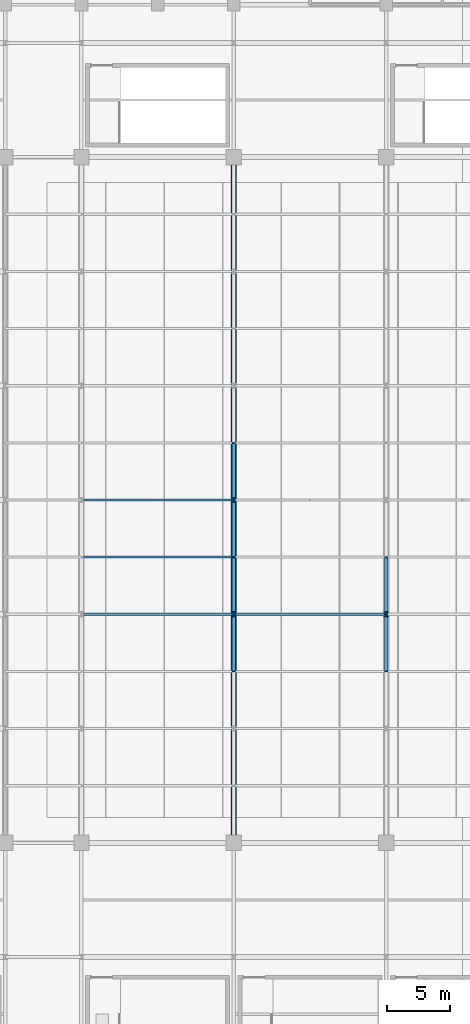
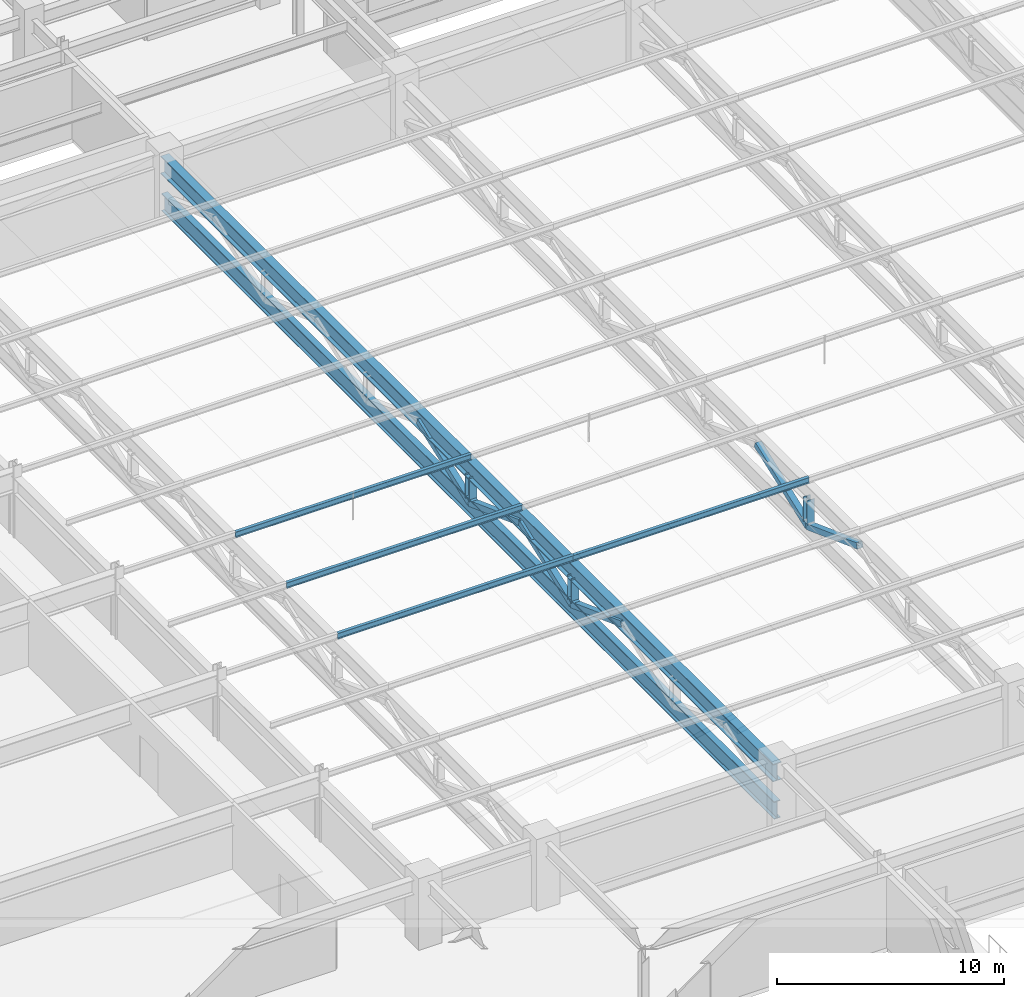
# One storey, part 28 of 108: 14 members, 1 beam.
"""IFC4 building model written with IfcOpenShell, lengths in metres."""

from ifc_helpers import new_model, si_unit, direction, frame, origin, origin_2d, place, context, subcontext, project, spatial, hollow_rectangle, i_section, extrude, material, material_profile, profile_set, type_object, element, save


model = new_model("IFC4")

# Units and contexts
model_context = context("Model", 3, precision=1e-05, world=origin(), true_north=direction((0.0, 1.0)))
body_context = subcontext(model_context, "Body", "Model", "MODEL_VIEW")
ifc_project = project(units=[si_unit("LENGTHUNIT", "METRE"), si_unit("AREAUNIT", "SQUARE_METRE"), si_unit("VOLUMEUNIT", "CUBIC_METRE"), si_unit("PLANEANGLEUNIT", "RADIAN"), si_unit("MASSUNIT", "GRAM", prefix="KILO")], contexts=[model_context])

# Site, building, storey
site_placement = place(None, origin())
site = spatial("IfcSite", under=ifc_project, at=site_placement, CompositionType="ELEMENT")
building_placement = place(site_placement, origin())
building = spatial("IfcBuilding", under=site, at=building_placement, Name="Kaldorvane Square Convention Centre", CompositionType="ELEMENT")
storey_placement = place(building_placement, frame((0.0, 0.0, 23.399993896484375)))
storey = spatial("IfcBuildingStorey", under=building, at=storey_placement, Name="L04", CompositionType="ELEMENT", Elevation=23.399993896484375)

# Beam
ifc_material_1 = material(Name="Steel ASTM A992 Gr. 50", Category="steel")
ifc_material_profile_1 = material_profile(ifc_material_1, i_section(OverallWidth=0.423004150390625, OverallDepth=0.9481964111328125, WebThickness=0.0240020751953125, FlangeThickness=0.042694091796875, FilletRadius=0.0240936279296875, at=origin_2d()), Name="W36X302")
ifc_profile_set_1 = profile_set([ifc_material_profile_1], Name="Steel ASTM A992 Gr. 50")
beam_type = type_object("IfcBeamType", Name="BM-GR-W36X302", PredefinedType="BEAM", material=ifc_profile_set_1)
beam_placement = place(storey_placement, frame((42.0, 18.0, 2.7335052490234375), z_axis=(0.0, 1.0, 0.0), x_axis=(-1.0, 0.0, 0.0)))
element("IfcBeam", 1, at=beam_placement, inside=storey, type_object=beam_type, Name="Hall Roof Truss RT-02 Top Chord", PredefinedType="BEAM", context=body_context, shape_type="SweptSolid", body=[
    extrude(i_section(OverallWidth=0.423004150390625, OverallDepth=0.9481964111328125, WebThickness=0.0240020751953125, FlangeThickness=0.042694091796875, FilletRadius=0.0240936279296875, at=origin_2d()), origin(), (0.0, 0.0, 1.0), 54.0),
])

# Members
ifc_material_2 = material(Name="Steel ASTM A500 Gr. C", Category="steel")
ifc_material_profile_2 = material_profile(ifc_material_2, hollow_rectangle(XDim=0.3047943115234375, YDim=0.3047943115234375, WallThickness=0.0117950439453125, at=origin_2d()), Name="HSS12X12X1/2")
ifc_profile_set_2 = profile_set([ifc_material_profile_2], Name="Steel ASTM A500 Gr. C")
member_type_1 = type_object("IfcMemberType", Name="MB-BR-HSS12", PredefinedType="BRACE", material=ifc_profile_set_2)
for number, where, z_axis, x_axis, name in (
    (2, (42.0, 31.5, 2.5535125732421875), (0.0, 0.937283847769, -0.348567050524), (-1.0, 0.0, 0.0), "Hall Roof Truss RT-02 Web 2B"),
    (3, (42.0, 36.0, 0.8800048828125), (0.0, 0.937283847769, 0.348567050524), (-1.0, 0.0, 0.0), "Hall Roof Truss RT-02 Web 3A"),
    (4, (42.0, 40.5, 2.5535125732421875), (0.0, 0.937283847769, -0.348567050524), (-1.0, 0.0, 0.0), "Hall Roof Truss RT-02 Web 3B"),
    (5, (42.0, 45.0, 0.8800048828125), (0.0, 0.937283847769, 0.348567050524), (-1.0, 0.0, 0.0), "Hall Roof Truss RT-02 Web 4A"),
    (6, (54.0, 31.5, 2.5535125732421875), (0.0, 0.937283847769, -0.348567050524), (-1.0, 0.0, 0.0), "Hall Roof Truss RT-03 Web 2B"),
    (7, (54.0, 36.0, 0.8800048828125), (0.0, 0.937283847769, 0.348567050524), (-1.0, 0.0, 0.0), "Hall Roof Truss RT-03 Web 3A"),
):
    element("IfcMember", number, at=place(storey_placement, frame(where, z_axis=z_axis, x_axis=x_axis)), inside=storey, type_object=member_type_1, Name=name, PredefinedType="BRACE", context=body_context, shape_type="SweptSolid", body=[
        extrude(hollow_rectangle(XDim=0.3047943115234375, YDim=0.3047943115234375, WallThickness=0.0117950439453125, at=origin_2d()), origin(), (0.0, 0.0, 1.0), 4.8011016845703125),
    ])
ifc_material_profile_3 = material_profile(ifc_material_1, i_section(OverallWidth=0.310302734375, OverallDepth=0.9506988525390625, WebThickness=0.0243988037109375, FlangeThickness=0.0438995361328125, FilletRadius=0.0240936279296875, at=origin_2d()), Name="W36X256")
ifc_profile_set_3 = profile_set([ifc_material_profile_3], Name="Steel ASTM A992 Gr. 50")
member_type_2 = type_object("IfcMemberType", Name="MB-CH-W36X256", PredefinedType="CHORD", material=ifc_profile_set_3)
member_placement = place(storey_placement, frame((42.0, 18.0, 0.70001220703125), z_axis=(0.0, 1.0, 0.0), x_axis=(-1.0, 0.0, 0.0)))
element("IfcMember", 8, at=member_placement, inside=storey, type_object=member_type_2, Name="Hall Roof Truss RT-02 Bottom Chord", PredefinedType="CHORD", context=body_context, shape_type="SweptSolid", body=[
    extrude(i_section(OverallWidth=0.310302734375, OverallDepth=0.9506988525390625, WebThickness=0.0243988037109375, FlangeThickness=0.0438995361328125, FilletRadius=0.0240936279296875, at=origin_2d()), origin(), (0.0, 0.0, 1.0), 54.0),
])
ifc_material_profile_4 = material_profile(ifc_material_1, i_section(OverallWidth=0.164794921875, OverallDepth=0.310394287109375, WebThickness=0.00579833984375, FlangeThickness=0.00970458984375, FilletRadius=0.007598876953125, at=origin_2d()), Name="W12X26")
ifc_profile_set_4 = profile_set([ifc_material_profile_4], Name="Steel ASTM A992 Gr. 50")
member_type_3 = type_object("IfcMemberType", Name="MB-PR-W12X26", PredefinedType="PURLIN", material=ifc_profile_set_4)
for number, where, z_axis, x_axis, name in (
    (9, (30.0, 36.0, 3.3628082275390625), (1.0, 0.0, 0.0), (0.0, 1.0, 0.0), "Hall Roof Steel Purlin"),
    (10, (30.0, 40.5, 3.3628082275390625), (1.0, 0.0, 0.0), (0.0, 1.0, 0.0), "Hall Roof Steel Purlin"),
    (11, (30.0, 45.0, 3.3628082275390625), (1.0, 0.0, 0.0), (0.0, 1.0, 0.0), "Hall Roof Steel Purlin"),
    (12, (42.0, 36.0, 3.3628082275390625), (1.0, 0.0, 0.0), (0.0, 1.0, 0.0), "Hall Roof Steel Purlin"),
):
    element("IfcMember", number, at=place(storey_placement, frame(where, z_axis=z_axis, x_axis=x_axis)), inside=storey, type_object=member_type_3, Name=name, PredefinedType="PURLIN", context=body_context, shape_type="SweptSolid", body=[
        extrude(i_section(OverallWidth=0.164794921875, OverallDepth=0.310394287109375, WebThickness=0.00579833984375, FlangeThickness=0.00970458984375, FilletRadius=0.007598876953125, at=origin_2d()), origin(), (0.0, 0.0, 1.0), 12.0),
    ])
ifc_material_profile_5 = material_profile(ifc_material_1, i_section(OverallWidth=0.373992919921875, OverallDepth=0.372406005859375, WebThickness=0.0164031982421875, FlangeThickness=0.0261993408203125, FilletRadius=0.0305023193359375, at=origin_2d()), Name="W14X132")
ifc_profile_set_5 = profile_set([ifc_material_profile_5], Name="Steel ASTM A992 Gr. 50")
member_type_4 = type_object("IfcMemberType", Name="MB-PS-W14X132", PredefinedType="POST", material=ifc_profile_set_5)
for number, where, z_axis, x_axis, name in (
    (13, (42.0, 36.0, 1.0500030517578125), (0.0, 0.0, 1.0), (1.0, 0.0, 0.0), "Hall Roof Truss RT-02 Post 2"),
    (14, (42.0, 45.0, 1.0500030517578125), (0.0, 0.0, 1.0), (1.0, 0.0, 0.0), "Hall Roof Truss RT-02 Post 3"),
    (15, (54.0, 36.0, 1.0500030517578125), (0.0, 0.0, 1.0), (1.0, 0.0, 0.0), "Hall Roof Truss RT-03 Post 2"),
):
    element("IfcMember", number, at=place(storey_placement, frame(where, z_axis=z_axis, x_axis=x_axis)), inside=storey, type_object=member_type_4, Name=name, PredefinedType="POST", context=body_context, shape_type="SweptSolid", body=[
        extrude(i_section(OverallWidth=0.373992919921875, OverallDepth=0.372406005859375, WebThickness=0.0164031982421875, FlangeThickness=0.0261993408203125, FilletRadius=0.0305023193359375, at=origin_2d()), origin(), (0.0, 0.0, 1.0), 1.33349609375),
    ])

save(model, "model.ifc")
